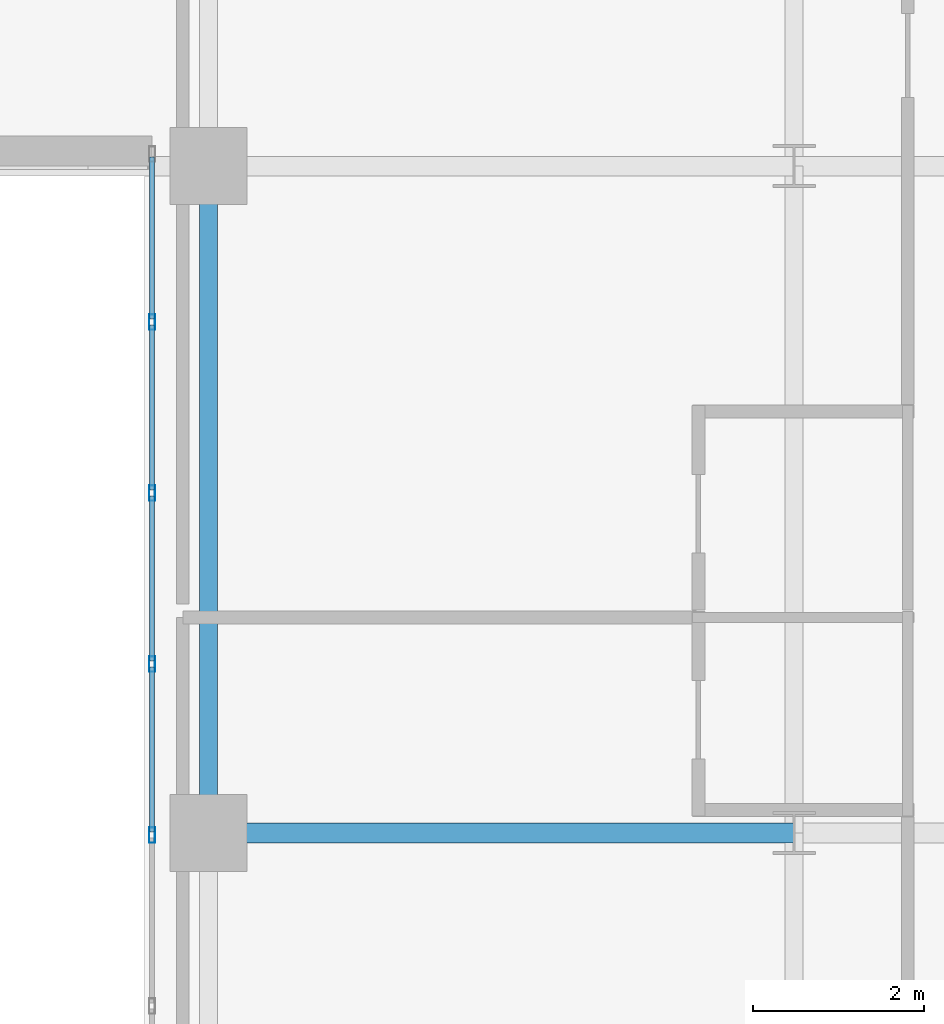
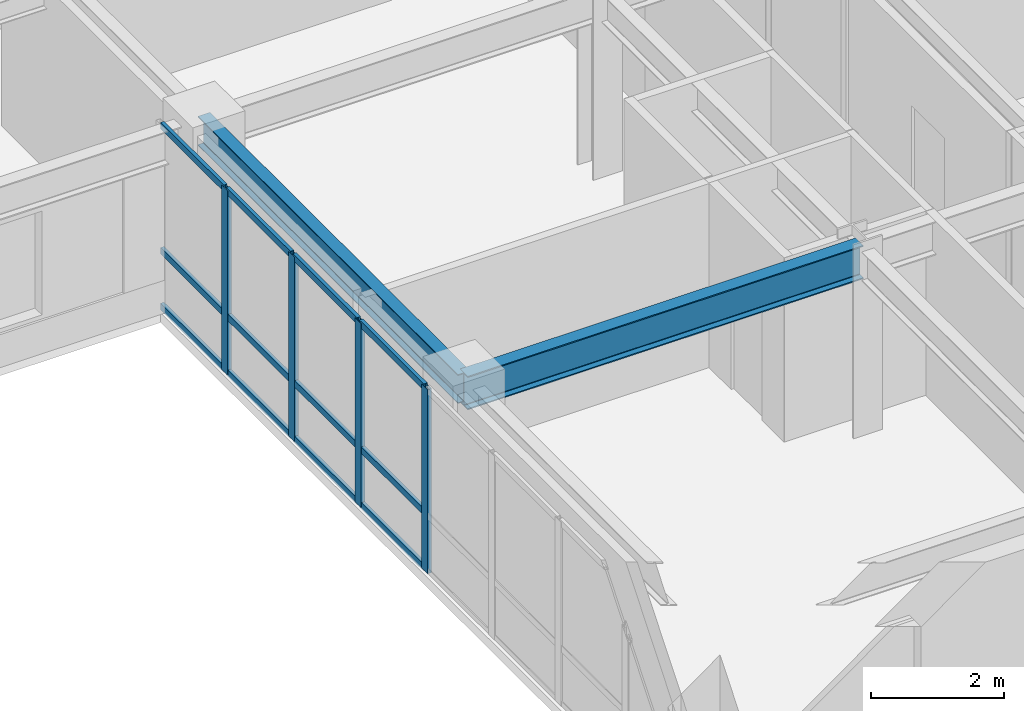
# One storey, part 9 of 24: 16 members, 2 beams, 1 element without a shape of its own.
"""IFC4 building model written with IfcOpenShell, lengths in metres."""

from ifc_helpers import new_model, si_unit, direction, frame, origin, origin_2d, place, context, subcontext, project, spatial, hollow_rectangle, i_section, extrude, source, transform, mapped, material, layer, layer_set, material_profile, profile_set, type_object, type_shapes, element, aggregate, save


model = new_model("IFC4")

# Units and contexts
model_context = context("Model", 3, precision=1e-05, world=origin(), true_north=direction((0.0, 1.0)))
body_context = subcontext(model_context, "Body", "Model", "MODEL_VIEW")
ifc_project = project(units=[si_unit("LENGTHUNIT", "METRE"), si_unit("AREAUNIT", "SQUARE_METRE"), si_unit("VOLUMEUNIT", "CUBIC_METRE"), si_unit("PLANEANGLEUNIT", "RADIAN"), si_unit("MASSUNIT", "GRAM", prefix="KILO")], contexts=[model_context])

# Site, building, storey
site_placement = place(None, origin())
site = spatial("IfcSite", under=ifc_project, at=site_placement, CompositionType="ELEMENT")
building_placement = place(site_placement, origin())
building = spatial("IfcBuilding", under=site, at=building_placement, Name="Tolvann Quenvar Hotel", CompositionType="ELEMENT")
storey_placement = place(building_placement, frame((0.0, 0.0, 139.949951171875)))
storey = spatial("IfcBuildingStorey", under=building, at=storey_placement, Name="L36", CompositionType="ELEMENT", Elevation=139.949951171875)

# Beams
ifc_material_1 = material(Name="Steel Grade 350", Category="steel")
ifc_material_profile_1 = material_profile(ifc_material_1, i_section(OverallWidth=0.22900390625, OverallDepth=0.612060546875, WebThickness=0.011962890625, FlangeThickness=0.01953125, FilletRadius=0.013916015625, at=origin_2d()), Name="610UB125")
ifc_profile_set_1 = profile_set([ifc_material_profile_1], Name="Steel Grade 350")
beam_type_1 = type_object("IfcBeamType", Name="BM_GIRD_610UB125", PredefinedType="BEAM", material=ifc_profile_set_1)
shared_shape_1 = source(origin(), body_context, "Body", "SweptSolid", [
    extrude(i_section(OverallWidth=0.22900390625, OverallDepth=0.612060546875, WebThickness=0.011962890625, FlangeThickness=0.01953125, FilletRadius=0.013916015625, at=origin_2d()), origin(), (0.0, 0.0, 1.0), 6.85009765625),
])
type_shapes(beam_type_1, [shared_shape_1])
beam_1_placement = place(storey_placement, frame((34.949951171875, 8.199951171875, 3.06396484375), z_axis=(1.0, 0.0, 0.0), x_axis=(0.0, 1.0, 0.0)))
element("IfcBeam", 1, at=beam_1_placement, inside=storey, type_object=beam_type_1, Name="BM-L36-EW-3-F3-H3", PredefinedType="BEAM", context=body_context, shape_type="MappedRepresentation", body=[
    mapped(shared_shape_1, transform((0.0, 0.0, 0.0), x_axis=(1.0, 0.0, 0.0), y_axis=(0.0, 1.0, 0.0), z_axis=(0.0, 0.0, 1.0), scale=1.0)),
])
ifc_material_profile_2 = material_profile(ifc_material_1, i_section(OverallWidth=0.208984375, OverallDepth=0.532958984375, WebThickness=0.01025390625, FlangeThickness=0.015625, FilletRadius=0.013916015625, at=origin_2d()), Name="530UB92")
ifc_profile_set_2 = profile_set([ifc_material_profile_2], Name="Steel Grade 350")
beam_type_2 = type_object("IfcBeamType", Name="BM_GIRD_530UB92", PredefinedType="BEAM", material=ifc_profile_set_2)
shared_shape_2 = source(origin(), body_context, "Body", "SweptSolid", [
    extrude(i_section(OverallWidth=0.208984375, OverallDepth=0.532958984375, WebThickness=0.01025390625, FlangeThickness=0.015625, FilletRadius=0.013916015625, at=origin_2d()), origin(), (0.0, 0.0, 1.0), 7.800048828125),
])
type_shapes(beam_type_2, [shared_shape_2])
beam_2_placement = place(storey_placement, frame((34.949951171875, 8.199951171875, 3.103515625), z_axis=(0.0, 1.0, 0.0), x_axis=(-1.0, 0.0, 0.0)))
element("IfcBeam", 2, at=beam_2_placement, inside=storey, type_object=beam_type_2, Name="BM-L36-NS-F3-F4", PredefinedType="BEAM", context=body_context, shape_type="MappedRepresentation", body=[
    mapped(shared_shape_2, transform((0.0, 0.0, 0.0), x_axis=(1.0, 0.0, 0.0), y_axis=(0.0, 1.0, 0.0), z_axis=(0.0, 0.0, 1.0), scale=1.0)),
])

# Curtain wall, members
ifc_material_2 = material(Name="Thermally broken anodised architectural aluminium 6063-T6 and laminated low-E glass", Category="aluminium")
ifc_layer = layer(ifc_material_2, 0.179931640625)
ifc_layer_set = layer_set([ifc_layer], Name="Thermally broken anodised architectural aluminium 6063-T6 and laminated low-E glass")
curtain_wall_type = type_object("IfcCurtainWallType", Name="CW_SYS_SLOT_03", PredefinedType="USERDEFINED", material=ifc_layer_set)
curtain_wall_placement = place(storey_placement, origin())
curtain_wall = element("IfcCurtainWall", 3, at=curtain_wall_placement, inside=storey, type_object=curtain_wall_type, Name="Curtain Wall CW-SLOT-03 (CWR-L36-E07)", ObjectType="UNITISED CURTAIN WALL", PredefinedType="USERDEFINED")
ifc_material_3 = material(Name="Anodised architectural aluminium 6063-T6 framing", Category="aluminium")
ifc_material_profile_3 = material_profile(ifc_material_3, hollow_rectangle(XDim=0.070068359375, YDim=0.179931640625, WallThickness=0.00390625, at=origin_2d()), Name="180x70x4RHS")
ifc_profile_set_3 = profile_set([ifc_material_profile_3], Name="Anodised architectural aluminium 6063-T6 framing")
member_type_1 = type_object("IfcMemberType", Name="CW_MULL_180x70", PredefinedType="MULLION", material=ifc_profile_set_3)
shared_shape_3 = source(origin(), body_context, "Body", "SweptSolid", [
    extrude(hollow_rectangle(XDim=0.070068359375, YDim=0.179931640625, WallThickness=0.00390625, at=origin_2d()), origin(), (0.0, 0.0, 1.0), 3.3701171875),
])
type_shapes(member_type_1, [shared_shape_3])
member_1_placement = place(storey_placement, frame((34.2900390625, 14.175048828125, 0.0), z_axis=(0.0, 0.0, 1.0), x_axis=(1.0, 0.0, 0.0)))
member_1 = element("IfcMember", 4, at=member_1_placement, type_object=member_type_1, Name="CW-SLOT-03 mullion 2", PredefinedType="MULLION", context=body_context, shape_type="MappedRepresentation", body=[
    mapped(shared_shape_3, transform((0.0, 0.0, 0.0), x_axis=(1.0, 0.0, 0.0), y_axis=(0.0, 1.0, 0.0), z_axis=(0.0, 0.0, 1.0), scale=1.0)),
])
member_2_placement = place(storey_placement, frame((34.2900390625, 12.175048828125, 0.0), z_axis=(0.0, 0.0, 1.0), x_axis=(1.0, 0.0, 0.0)))
member_2 = element("IfcMember", 5, at=member_2_placement, type_object=member_type_1, Name="CW-SLOT-03 mullion 3", PredefinedType="MULLION", context=body_context, shape_type="MappedRepresentation", body=[
    mapped(shared_shape_3, transform((0.0, 0.0, 0.0), x_axis=(1.0, 0.0, 0.0), y_axis=(0.0, 1.0, 0.0), z_axis=(0.0, 0.0, 1.0), scale=1.0)),
])
member_3_placement = place(storey_placement, frame((34.2900390625, 10.175048828125, 0.0), z_axis=(0.0, 0.0, 1.0), x_axis=(1.0, 0.0, 0.0)))
member_3 = element("IfcMember", 6, at=member_3_placement, type_object=member_type_1, Name="CW-SLOT-03 mullion 4", PredefinedType="MULLION", context=body_context, shape_type="MappedRepresentation", body=[
    mapped(shared_shape_3, transform((0.0, 0.0, 0.0), x_axis=(1.0, 0.0, 0.0), y_axis=(0.0, 1.0, 0.0), z_axis=(0.0, 0.0, 1.0), scale=1.0)),
])
member_4_placement = place(storey_placement, frame((34.2900390625, 8.175048828125, 0.0), z_axis=(0.0, 0.0, 1.0), x_axis=(1.0, 0.0, 0.0)))
member_4 = element("IfcMember", 7, at=member_4_placement, type_object=member_type_1, Name="CW-SLOT-03 mullion 5", PredefinedType="MULLION", context=body_context, shape_type="MappedRepresentation", body=[
    mapped(shared_shape_3, transform((0.0, 0.0, 0.0), x_axis=(1.0, 0.0, 0.0), y_axis=(0.0, 1.0, 0.0), z_axis=(0.0, 0.0, 1.0), scale=1.0)),
])
ifc_material_profile_4 = material_profile(ifc_material_3, hollow_rectangle(XDim=0.06005859375, YDim=0.1201171875, WallThickness=0.00341796875, at=origin_2d()), Name="120x60x3.5RHS")
ifc_profile_set_4 = profile_set([ifc_material_profile_4], Name="Anodised architectural aluminium 6063-T6 framing")
member_type_2 = type_object("IfcMemberType", Name="CW_TRAN_120x60", PredefinedType="USERDEFINED", material=ifc_profile_set_4)
shared_shape_4 = source(origin(), body_context, "Body", "SweptSolid", [
    extrude(hollow_rectangle(XDim=0.06005859375, YDim=0.1201171875, WallThickness=0.00341796875, at=origin_2d()), origin(), (0.0, 0.0, 1.0), 1.929931640625),
])
member_5_placement = place(storey_placement, frame((34.2900390625, 14.139892578125, 0.030029296875), z_axis=(0.0, -1.0, 0.0), x_axis=(1.0, 0.0, 0.0)))
member_5 = element("IfcMember", 8, at=member_5_placement, type_object=member_type_2, Name="CW-SLOT-03 transom 2.1", ObjectType="TRANSOM", PredefinedType="USERDEFINED", context=body_context, shape_type="MappedRepresentation", body=[
    mapped(shared_shape_4, transform((0.0, 0.0, 0.0), x_axis=(1.0, 0.0, 0.0), y_axis=(0.0, 1.0, 0.0), z_axis=(0.0, 0.0, 1.0), scale=1.0)),
])
member_6_placement = place(storey_placement, frame((34.2900390625, 14.139892578125, 1.050048828125), z_axis=(0.0, -1.0, 0.0), x_axis=(1.0, 0.0, 0.0)))
member_6 = element("IfcMember", 9, at=member_6_placement, type_object=member_type_2, Name="CW-SLOT-03 transom 2.2", ObjectType="TRANSOM", PredefinedType="USERDEFINED", context=body_context, shape_type="MappedRepresentation", body=[
    mapped(shared_shape_4, transform((0.0, 0.0, 0.0), x_axis=(1.0, 0.0, 0.0), y_axis=(0.0, 1.0, 0.0), z_axis=(0.0, 0.0, 1.0), scale=1.0)),
])
member_7_placement = place(storey_placement, frame((34.2900390625, 14.139892578125, 3.340087890625), z_axis=(0.0, -1.0, 0.0), x_axis=(1.0, 0.0, 0.0)))
member_7 = element("IfcMember", 10, at=member_7_placement, type_object=member_type_2, Name="CW-SLOT-03 transom 2.3", ObjectType="TRANSOM", PredefinedType="USERDEFINED", context=body_context, shape_type="MappedRepresentation", body=[
    mapped(shared_shape_4, transform((0.0, 0.0, 0.0), x_axis=(1.0, 0.0, 0.0), y_axis=(0.0, 1.0, 0.0), z_axis=(0.0, 0.0, 1.0), scale=1.0)),
])
member_8_placement = place(storey_placement, frame((34.2900390625, 12.139892578125, 0.030029296875), z_axis=(0.0, -1.0, 0.0), x_axis=(1.0, 0.0, 0.0)))
member_8 = element("IfcMember", 11, at=member_8_placement, type_object=member_type_2, Name="CW-SLOT-03 transom 3.1", ObjectType="TRANSOM", PredefinedType="USERDEFINED", context=body_context, shape_type="MappedRepresentation", body=[
    mapped(shared_shape_4, transform((0.0, 0.0, 0.0), x_axis=(1.0, 0.0, 0.0), y_axis=(0.0, 1.0, 0.0), z_axis=(0.0, 0.0, 1.0), scale=1.0)),
])
member_9_placement = place(storey_placement, frame((34.2900390625, 12.139892578125, 1.050048828125), z_axis=(0.0, -1.0, 0.0), x_axis=(1.0, 0.0, 0.0)))
member_9 = element("IfcMember", 12, at=member_9_placement, type_object=member_type_2, Name="CW-SLOT-03 transom 3.2", ObjectType="TRANSOM", PredefinedType="USERDEFINED", context=body_context, shape_type="MappedRepresentation", body=[
    mapped(shared_shape_4, transform((0.0, 0.0, 0.0), x_axis=(1.0, 0.0, 0.0), y_axis=(0.0, 1.0, 0.0), z_axis=(0.0, 0.0, 1.0), scale=1.0)),
])
member_10_placement = place(storey_placement, frame((34.2900390625, 12.139892578125, 3.340087890625), z_axis=(0.0, -1.0, 0.0), x_axis=(1.0, 0.0, 0.0)))
member_10 = element("IfcMember", 13, at=member_10_placement, type_object=member_type_2, Name="CW-SLOT-03 transom 3.3", ObjectType="TRANSOM", PredefinedType="USERDEFINED", context=body_context, shape_type="MappedRepresentation", body=[
    mapped(shared_shape_4, transform((0.0, 0.0, 0.0), x_axis=(1.0, 0.0, 0.0), y_axis=(0.0, 1.0, 0.0), z_axis=(0.0, 0.0, 1.0), scale=1.0)),
])
member_11_placement = place(storey_placement, frame((34.2900390625, 10.139892578125, 0.030029296875), z_axis=(0.0, -1.0, 0.0), x_axis=(1.0, 0.0, 0.0)))
member_11 = element("IfcMember", 14, at=member_11_placement, type_object=member_type_2, Name="CW-SLOT-03 transom 4.1", ObjectType="TRANSOM", PredefinedType="USERDEFINED", context=body_context, shape_type="MappedRepresentation", body=[
    mapped(shared_shape_4, transform((0.0, 0.0, 0.0), x_axis=(1.0, 0.0, 0.0), y_axis=(0.0, 1.0, 0.0), z_axis=(0.0, 0.0, 1.0), scale=1.0)),
])
member_12_placement = place(storey_placement, frame((34.2900390625, 10.139892578125, 1.050048828125), z_axis=(0.0, -1.0, 0.0), x_axis=(1.0, 0.0, 0.0)))
member_12 = element("IfcMember", 15, at=member_12_placement, type_object=member_type_2, Name="CW-SLOT-03 transom 4.2", ObjectType="TRANSOM", PredefinedType="USERDEFINED", context=body_context, shape_type="MappedRepresentation", body=[
    mapped(shared_shape_4, transform((0.0, 0.0, 0.0), x_axis=(1.0, 0.0, 0.0), y_axis=(0.0, 1.0, 0.0), z_axis=(0.0, 0.0, 1.0), scale=1.0)),
])
member_13_placement = place(storey_placement, frame((34.2900390625, 10.139892578125, 3.340087890625), z_axis=(0.0, -1.0, 0.0), x_axis=(1.0, 0.0, 0.0)))
member_13 = element("IfcMember", 16, at=member_13_placement, type_object=member_type_2, Name="CW-SLOT-03 transom 4.3", ObjectType="TRANSOM", PredefinedType="USERDEFINED", context=body_context, shape_type="MappedRepresentation", body=[
    mapped(shared_shape_4, transform((0.0, 0.0, 0.0), x_axis=(1.0, 0.0, 0.0), y_axis=(0.0, 1.0, 0.0), z_axis=(0.0, 0.0, 1.0), scale=1.0)),
])
shared_shape_5 = source(origin(), body_context, "Body", "SweptSolid", [
    extrude(hollow_rectangle(XDim=0.06005859375, YDim=0.1201171875, WallThickness=0.00341796875, at=origin_2d()), origin(), (0.0, 0.0, 1.0), 1.89501953125),
])
type_shapes(member_type_2, [shared_shape_4, shared_shape_5])
member_14_placement = place(storey_placement, frame((34.2900390625, 16.10498046875, 0.030029296875), z_axis=(0.0, -1.0, 0.0), x_axis=(1.0, 0.0, 0.0)))
member_14 = element("IfcMember", 17, at=member_14_placement, type_object=member_type_2, Name="CW-SLOT-03 transom 1.1", ObjectType="TRANSOM", PredefinedType="USERDEFINED", context=body_context, shape_type="MappedRepresentation", body=[
    mapped(shared_shape_5, transform((0.0, 0.0, 0.0), x_axis=(1.0, 0.0, 0.0), y_axis=(0.0, 1.0, 0.0), z_axis=(0.0, 0.0, 1.0), scale=1.0)),
])
member_15_placement = place(storey_placement, frame((34.2900390625, 16.10498046875, 1.050048828125), z_axis=(0.0, -1.0, 0.0), x_axis=(1.0, 0.0, 0.0)))
member_15 = element("IfcMember", 18, at=member_15_placement, type_object=member_type_2, Name="CW-SLOT-03 transom 1.2", ObjectType="TRANSOM", PredefinedType="USERDEFINED", context=body_context, shape_type="MappedRepresentation", body=[
    mapped(shared_shape_5, transform((0.0, 0.0, 0.0), x_axis=(1.0, 0.0, 0.0), y_axis=(0.0, 1.0, 0.0), z_axis=(0.0, 0.0, 1.0), scale=1.0)),
])
member_16_placement = place(storey_placement, frame((34.2900390625, 16.10498046875, 3.340087890625), z_axis=(0.0, -1.0, 0.0), x_axis=(1.0, 0.0, 0.0)))
member_16 = element("IfcMember", 19, at=member_16_placement, type_object=member_type_2, Name="CW-SLOT-03 transom 1.3", ObjectType="TRANSOM", PredefinedType="USERDEFINED", context=body_context, shape_type="MappedRepresentation", body=[
    mapped(shared_shape_5, transform((0.0, 0.0, 0.0), x_axis=(1.0, 0.0, 0.0), y_axis=(0.0, 1.0, 0.0), z_axis=(0.0, 0.0, 1.0), scale=1.0)),
])
aggregate(curtain_wall, [member_1, member_2, member_3, member_4, member_14, member_15, member_16, member_5, member_6, member_7, member_8, member_9, member_10, member_11, member_12, member_13])

save(model, "model.ifc")
